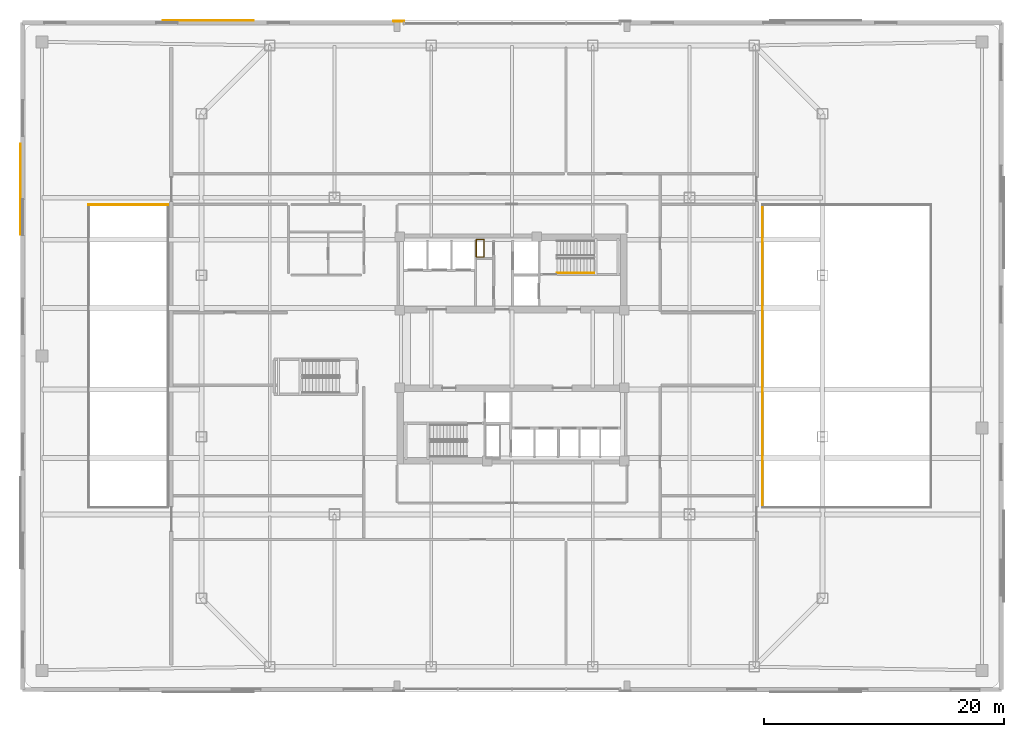
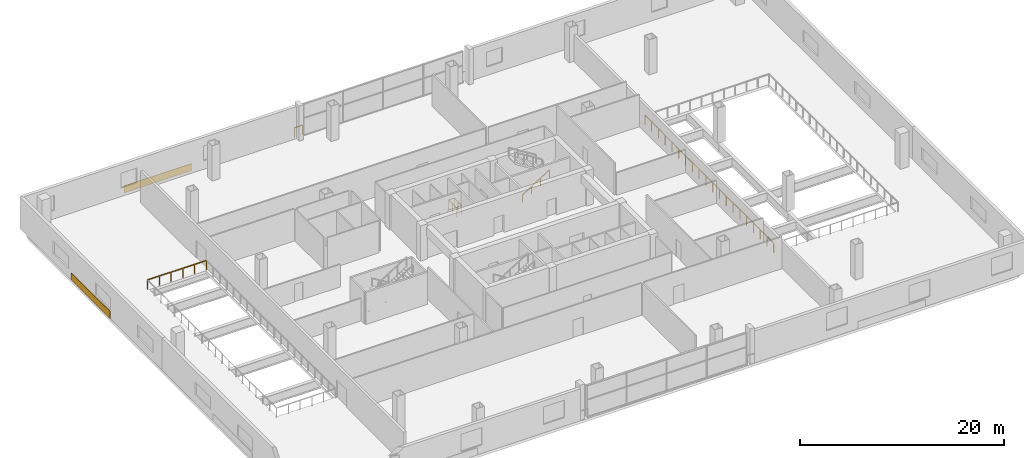
# One storey, part 19 of 21: 5 railings, 2 coverings.
"""IFC4 building model written with IfcOpenShell, lengths in metres."""

from ifc_helpers import new_model, si_unit, direction, frame, origin, origin_2d, place, context, subcontext, project, spatial, rectangle, extrude, material, layer, layer_set, type_object, element, save


model = new_model("IFC4")

# Units and contexts
model_context = context("Model", 3, precision=1e-05, world=origin(), true_north=direction((0.0, 1.0)))
body_context = subcontext(model_context, "Body", "Model", "MODEL_VIEW")
ifc_project = project(units=[si_unit("LENGTHUNIT", "METRE"), si_unit("AREAUNIT", "SQUARE_METRE"), si_unit("VOLUMEUNIT", "CUBIC_METRE"), si_unit("PLANEANGLEUNIT", "RADIAN"), si_unit("MASSUNIT", "GRAM", prefix="KILO")], contexts=[model_context])

# Site, building, storey
site_placement = place(None, origin())
site = spatial("IfcSite", under=ifc_project, at=site_placement, CompositionType="ELEMENT")
building_placement = place(site_placement, origin())
building = spatial("IfcBuilding", under=site, at=building_placement, Name="Qhalaya Broadcast Tower", CompositionType="ELEMENT")
storey_placement = place(building_placement, frame((0.0, 0.0, 17.699951171875)))
storey = spatial("IfcBuildingStorey", under=building, at=storey_placement, Name="L04", CompositionType="ELEMENT", Elevation=17.699951171875)

# Coverings
ifc_material_1 = material(Name="Fired Architectural Terracotta", Category="masonry")
ifc_layer = layer(ifc_material_1, 0.044921875, Name="Fired Architectural Terracotta")
ifc_layer_set = layer_set([ifc_layer], Name="Fired Architectural Terracotta")
covering_type = type_object("IfcCoveringType", Name="Polychrome Terracotta Rainscreen Cladding CLD-01", PredefinedType="CLADDING", material=ifc_layer_set)
for number, where, z_axis, x_axis, name in (
    (1, (-25.320068359375, 28.0, 0.02490234375), (0.0, 0.0, 1.0), (1.0, 0.0, 0.0), "L04 Terracotta Spandrel Cladding EW-NW"),
    (2, (-41.0, 13.89990234375, 0.02490234375), (0.0, 0.0, 1.0), (0.0, 1.0, 0.0), "L04 Terracotta Spandrel Cladding EW-WN"),
):
    element("IfcCovering", number, at=place(storey_placement, frame(where, z_axis=z_axis, x_axis=x_axis)), inside=storey, type_object=covering_type, Name=name, PredefinedType="CLADDING", context=body_context, shape_type="SweptSolid", body=[
        extrude(rectangle(XDim=7.60009765625, YDim=0.044921875, at=origin_2d()), origin(), (0.0, 0.0, 1.0), 0.85009765625),
    ])

# Railings
ifc_material_2 = material(Name="Powder-Coated Galvanised Steel", Category="steel")
railing_type_1 = type_object("IfcRailingType", Name="Stair Wall Handrail 900", PredefinedType="HANDRAIL", material=ifc_material_2)
railing_1_placement = place(storey_placement, frame((3.75, 6.929931640625, 0.175048828125)))
element("IfcRailing", 3, at=railing_1_placement, inside=storey, type_object=railing_type_1, Name="L04 ST-1 Stair Handrail 1", PredefinedType="HANDRAIL", context=body_context, shape_type="SweptSolid", body=[
    extrude(rectangle(XDim=0.048095703125, YDim=0.048095703125, at=origin_2d()), frame((0.0, 0.0, 0.8759765625), z_axis=(0.847998304005, 0.0, 0.529998940003), x_axis=(0.0, 1.0, 0.0)), (0.0, 0.0, 1.0), 3.632080078125),
    extrude(rectangle(XDim=0.0419921875, YDim=0.0419921875, at=origin_2d()), origin(), (0.0, 0.0, 1.0), 0.849853515625),
    extrude(rectangle(XDim=0.0419921875, YDim=0.0419921875, at=origin_2d()), frame((1.026611328125, 0.0, 0.6416015625)), (0.0, 0.0, 1.0), 0.849853515625),
    extrude(rectangle(XDim=0.0419921875, YDim=0.0419921875, at=origin_2d()), frame((2.053466796875, 0.0, 1.283447265625)), (0.0, 0.0, 1.0), 0.849853515625),
    extrude(rectangle(XDim=0.0419921875, YDim=0.0419921875, at=origin_2d()), frame((3.080078125, 0.0, 1.925048828125)), (0.0, 0.0, 1.0), 0.849853515625),
])
railing_type_2 = type_object("IfcRailingType", Name="Stair Well & Landing Guardrail 1100", PredefinedType="GUARDRAIL", material=ifc_material_2)
railing_2_placement = place(storey_placement, frame((-2.340087890625, 8.239990234375, 0.0)))
element("IfcRailing", 4, at=railing_2_placement, inside=storey, type_object=railing_type_2, Name="L04 Service Riser Opening Safety Guard NRSR", PredefinedType="GUARDRAIL", context=body_context, shape_type="SweptSolid", body=[
    extrude(rectangle(XDim=0.048095703125, YDim=0.048095703125, at=origin_2d()), frame((0.0, 0.02880859375, 1.1259765625), z_axis=(0.0, 1.0, 0.0), x_axis=(-1.0, 0.0, 0.0)), (0.0, 0.0, 1.0), 1.42236328125),
    extrude(rectangle(XDim=0.048095703125, YDim=0.048095703125, at=origin_2d()), frame((-0.02880859375, 1.47998046875, 1.1259765625), z_axis=(-1.0, 0.0, 0.0), x_axis=(0.0, -1.0, 0.0)), (0.0, 0.0, 1.0), 0.582275390625),
    extrude(rectangle(XDim=0.048095703125, YDim=0.048095703125, at=origin_2d()), frame((-0.639892578125, 1.451171875, 1.1259765625), z_axis=(0.0, -1.0, 0.0), x_axis=(1.0, 0.0, 0.0)), (0.0, 0.0, 1.0), 1.42236328125),
    extrude(rectangle(XDim=0.048095703125, YDim=0.048095703125, at=origin_2d()), frame((-0.611083984375, 0.0, 1.1259765625), z_axis=(1.0, 0.0, 0.0), x_axis=(0.0, 1.0, 0.0)), (0.0, 0.0, 1.0), 0.582275390625),
    extrude(rectangle(XDim=0.0419921875, YDim=0.0419921875, at=origin_2d()), origin(), (0.0, 0.0, 1.0), 1.099853515625),
    extrude(rectangle(XDim=0.0419921875, YDim=0.0419921875, at=origin_2d()), frame((0.0, 0.739990234375, 0.0)), (0.0, 0.0, 1.0), 1.099853515625),
    extrude(rectangle(XDim=0.0419921875, YDim=0.0419921875, at=origin_2d()), frame((0.0, 1.47998046875, 0.0)), (0.0, 0.0, 1.0), 1.099853515625),
    extrude(rectangle(XDim=0.0419921875, YDim=0.0419921875, at=origin_2d()), frame((-0.639892578125, 1.47998046875, 0.0)), (0.0, 0.0, 1.0), 1.099853515625),
    extrude(rectangle(XDim=0.0419921875, YDim=0.0419921875, at=origin_2d()), frame((-0.639892578125, 0.739990234375, 0.0)), (0.0, 0.0, 1.0), 1.099853515625),
    extrude(rectangle(XDim=0.0419921875, YDim=0.0419921875, at=origin_2d()), frame((-0.639892578125, 0.0, 0.0)), (0.0, 0.0, 1.0), 1.099853515625),
])
railing_3_placement = place(storey_placement, frame((-28.679931640625, 12.6201171875, 0.0)))
element("IfcRailing", 5, at=railing_3_placement, inside=storey, type_object=railing_type_2, Name="L04 Soundstage Acoustic Void Safety Guard STVW-3", PredefinedType="GUARDRAIL", context=body_context, shape_type="SweptSolid", body=[
    extrude(rectangle(XDim=0.048095703125, YDim=0.048095703125, at=origin_2d()), frame((0.0, 0.0, 1.1259765625), z_axis=(-1.0, 0.0, 0.0), x_axis=(0.0, -1.0, 0.0)), (0.0, 0.0, 1.0), 6.64013671875),
    extrude(rectangle(XDim=0.0419921875, YDim=0.0419921875, at=origin_2d()), origin(), (0.0, 0.0, 1.0), 1.099853515625),
    extrude(rectangle(XDim=0.0419921875, YDim=0.0419921875, at=origin_2d()), frame((-1.328125, 0.0, 0.0)), (0.0, 0.0, 1.0), 1.099853515625),
    extrude(rectangle(XDim=0.0419921875, YDim=0.0419921875, at=origin_2d()), frame((-2.656005859375, 0.0, 0.0)), (0.0, 0.0, 1.0), 1.099853515625),
    extrude(rectangle(XDim=0.0419921875, YDim=0.0419921875, at=origin_2d()), frame((-3.984130859375, 0.0, 0.0)), (0.0, 0.0, 1.0), 1.099853515625),
    extrude(rectangle(XDim=0.0419921875, YDim=0.0419921875, at=origin_2d()), frame((-5.31201171875, 0.0, 0.0)), (0.0, 0.0, 1.0), 1.099853515625),
    extrude(rectangle(XDim=0.0419921875, YDim=0.0419921875, at=origin_2d()), frame((-6.64013671875, 0.0, 0.0)), (0.0, 0.0, 1.0), 1.099853515625),
])
railing_4_placement = place(storey_placement, frame((20.8798828125, 12.6201171875, 0.0)))
element("IfcRailing", 6, at=railing_4_placement, inside=storey, type_object=railing_type_2, Name="L04 Soundstage Acoustic Void Safety Guard STVE-4", PredefinedType="GUARDRAIL", context=body_context, shape_type="SweptSolid", body=[
    extrude(rectangle(XDim=0.048095703125, YDim=0.048095703125, at=origin_2d()), frame((0.0, 0.0, 1.1259765625), z_axis=(0.0, -1.0, 0.0), x_axis=(1.0, 0.0, 0.0)), (0.0, 0.0, 1.0), 25.240234375),
    extrude(rectangle(XDim=0.0419921875, YDim=0.0419921875, at=origin_2d()), origin(), (0.0, 0.0, 1.0), 1.099853515625),
    extrude(rectangle(XDim=0.0419921875, YDim=0.0419921875, at=origin_2d()), frame((0.0, -1.328369140625, 0.0)), (0.0, 0.0, 1.0), 1.099853515625),
    extrude(rectangle(XDim=0.0419921875, YDim=0.0419921875, at=origin_2d()), frame((0.0, -2.656982421875, 0.0)), (0.0, 0.0, 1.0), 1.099853515625),
    extrude(rectangle(XDim=0.0419921875, YDim=0.0419921875, at=origin_2d()), frame((0.0, -3.9853515625, 0.0)), (0.0, 0.0, 1.0), 1.099853515625),
    extrude(rectangle(XDim=0.0419921875, YDim=0.0419921875, at=origin_2d()), frame((0.0, -5.313720703125, 0.0)), (0.0, 0.0, 1.0), 1.099853515625),
    extrude(rectangle(XDim=0.0419921875, YDim=0.0419921875, at=origin_2d()), frame((0.0, -6.64208984375, 0.0)), (0.0, 0.0, 1.0), 1.099853515625),
    extrude(rectangle(XDim=0.0419921875, YDim=0.0419921875, at=origin_2d()), frame((0.0, -7.970703125, 0.0)), (0.0, 0.0, 1.0), 1.099853515625),
    extrude(rectangle(XDim=0.0419921875, YDim=0.0419921875, at=origin_2d()), frame((0.0, -9.299072265625, 0.0)), (0.0, 0.0, 1.0), 1.099853515625),
    extrude(rectangle(XDim=0.0419921875, YDim=0.0419921875, at=origin_2d()), frame((0.0, -10.62744140625, 0.0)), (0.0, 0.0, 1.0), 1.099853515625),
    extrude(rectangle(XDim=0.0419921875, YDim=0.0419921875, at=origin_2d()), frame((0.0, -11.955810546875, 0.0)), (0.0, 0.0, 1.0), 1.099853515625),
    extrude(rectangle(XDim=0.0419921875, YDim=0.0419921875, at=origin_2d()), frame((0.0, -13.284423828125, 0.0)), (0.0, 0.0, 1.0), 1.099853515625),
    extrude(rectangle(XDim=0.0419921875, YDim=0.0419921875, at=origin_2d()), frame((0.0, -14.61279296875, 0.0)), (0.0, 0.0, 1.0), 1.099853515625),
    extrude(rectangle(XDim=0.0419921875, YDim=0.0419921875, at=origin_2d()), frame((0.0, -15.941162109375, 0.0)), (0.0, 0.0, 1.0), 1.099853515625),
    extrude(rectangle(XDim=0.0419921875, YDim=0.0419921875, at=origin_2d()), frame((0.0, -17.26953125, 0.0)), (0.0, 0.0, 1.0), 1.099853515625),
    extrude(rectangle(XDim=0.0419921875, YDim=0.0419921875, at=origin_2d()), frame((0.0, -18.59814453125, 0.0)), (0.0, 0.0, 1.0), 1.099853515625),
    extrude(rectangle(XDim=0.0419921875, YDim=0.0419921875, at=origin_2d()), frame((0.0, -19.926513671875, 0.0)), (0.0, 0.0, 1.0), 1.099853515625),
    extrude(rectangle(XDim=0.0419921875, YDim=0.0419921875, at=origin_2d()), frame((0.0, -21.2548828125, 0.0)), (0.0, 0.0, 1.0), 1.099853515625),
    extrude(rectangle(XDim=0.0419921875, YDim=0.0419921875, at=origin_2d()), frame((0.0, -22.583251953125, 0.0)), (0.0, 0.0, 1.0), 1.099853515625),
    extrude(rectangle(XDim=0.0419921875, YDim=0.0419921875, at=origin_2d()), frame((0.0, -23.911865234375, 0.0)), (0.0, 0.0, 1.0), 1.099853515625),
    extrude(rectangle(XDim=0.0419921875, YDim=0.0419921875, at=origin_2d()), frame((0.0, -25.240234375, 0.0)), (0.0, 0.0, 1.0), 1.099853515625),
])
railing_type_3 = type_object("IfcRailingType", Name="Terrace, Sky-Pool & Lookout Glass Balustrade 1150", PredefinedType="BALUSTRADE", material=ifc_material_2)
railing_5_placement = place(storey_placement, frame((-9.8798828125, 27.919921875, 0.0)))
element("IfcRailing", 7, at=railing_5_placement, inside=storey, type_object=railing_type_3, Name="L04 Concourse Portal Shoulder Safety Balustrade PNW", PredefinedType="BALUSTRADE", context=body_context, shape_type="SweptSolid", body=[
    extrude(rectangle(XDim=0.048095703125, YDim=0.048095703125, at=origin_2d()), frame((0.0, 0.0, 1.1259765625), z_axis=(1.0, 0.0, 0.0), x_axis=(0.0, 1.0, 0.0)), (0.0, 0.0, 1.0), 0.8798828125),
    extrude(rectangle(XDim=0.0419921875, YDim=0.0419921875, at=origin_2d()), origin(), (0.0, 0.0, 1.0), 1.099853515625),
    extrude(rectangle(XDim=0.0419921875, YDim=0.0419921875, at=origin_2d()), frame((0.8798828125, 0.0, 0.0)), (0.0, 0.0, 1.0), 1.099853515625),
])

save(model, "model.ifc")
